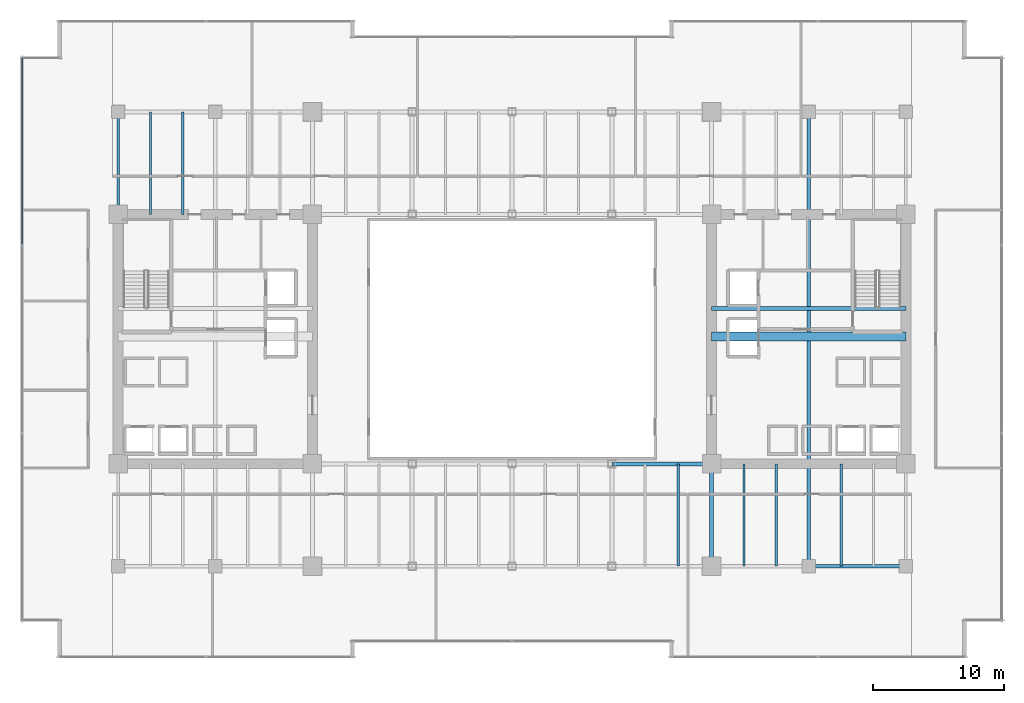
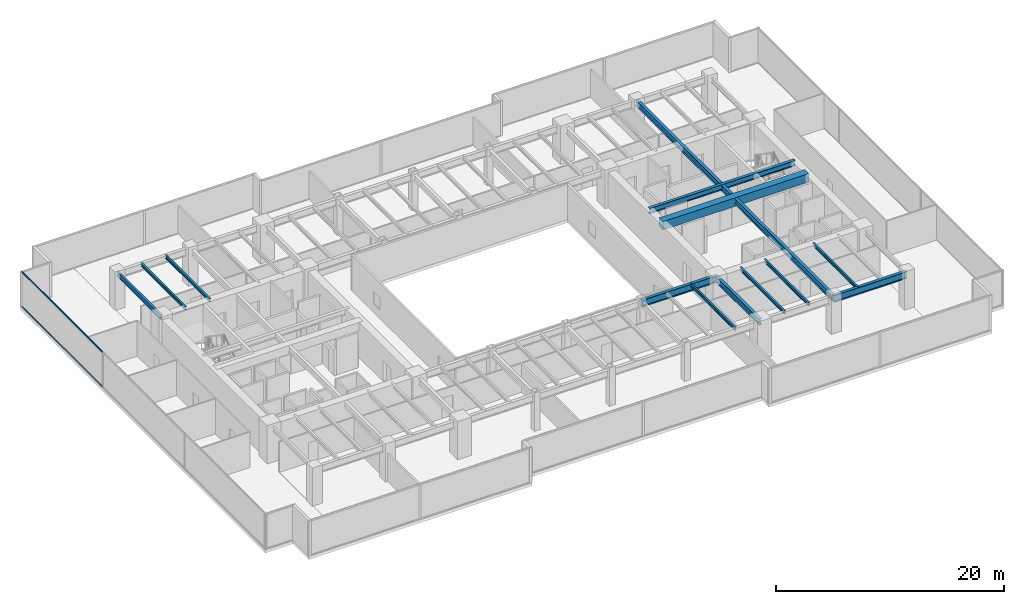
# One storey, part 11 of 37: 13 beams, 2 members, 1 element without a shape of its own.
"""IFC4 building model written with IfcOpenShell, lengths in metres."""

from ifc_helpers import new_model, si_unit, direction, frame, origin, origin_2d, place, context, subcontext, project, spatial, rectangle, hollow_rectangle, i_section, extrude, source, transform, mapped, material, layer, layer_set, material_profile, profile_set, type_object, type_shapes, element, aggregate, save


model = new_model("IFC4")

# Units and contexts
model_context = context("Model", 3, precision=1e-05, world=origin(), true_north=direction((0.0, 1.0)))
body_context = subcontext(model_context, "Body", "Model", "MODEL_VIEW")
ifc_project = project(units=[si_unit("LENGTHUNIT", "METRE"), si_unit("AREAUNIT", "SQUARE_METRE"), si_unit("VOLUMEUNIT", "CUBIC_METRE"), si_unit("PLANEANGLEUNIT", "RADIAN"), si_unit("MASSUNIT", "GRAM", prefix="KILO")], contexts=[model_context])

# Site, building, storey
site_placement = place(None, origin())
site = spatial("IfcSite", under=ifc_project, at=site_placement, CompositionType="ELEMENT")
building_placement = place(site_placement, origin())
building = spatial("IfcBuilding", under=site, at=building_placement, Name="Haelvirn Gate Laboratories", CompositionType="ELEMENT")
storey_placement = place(building_placement, frame((0.0, 0.0, 78.5)))
storey = spatial("IfcBuildingStorey", under=building, at=storey_placement, Name="L19", CompositionType="ELEMENT", Elevation=78.5)

# Beams
ifc_material_1 = material(Name="Concrete C60/75", Category="concrete")
ifc_material_profile_1 = material_profile(ifc_material_1, rectangle(XDim=0.699951171875, YDim=0.89990234375, at=origin_2d()), Name="RCB-700x900")
ifc_profile_set_1 = profile_set([ifc_material_profile_1], Name="Concrete C60/75")
beam_type_1 = type_object("IfcBeamType", Name="BM-RCB-900", PredefinedType="LINTEL", material=ifc_profile_set_1)
shared_shape_1 = source(origin(), body_context, "Body", "SweptSolid", [
    extrude(rectangle(XDim=0.699951171875, YDim=0.89990234375, at=origin_2d()), origin(), (0.0, 0.0, 1.0), 14.7998046875),
])
type_shapes(beam_type_1, [shared_shape_1])
beam_1_placement = place(storey_placement, frame((52.60009765625, 24.5, 3.330078125), z_axis=(1.0, 0.0, 0.0), x_axis=(0.0, 1.0, 0.0)))
element("IfcBeam", 1, at=beam_1_placement, inside=storey, type_object=beam_type_1, Name="L19 East Core Coupling Beam", PredefinedType="LINTEL", context=body_context, shape_type="MappedRepresentation", body=[
    mapped(shared_shape_1, transform((0.0, 0.0, 0.0), scale=1.0)),
])
ifc_material_2 = material(Name="Steel SM355", Category="steel")
ifc_material_profile_2 = material_profile(ifc_material_2, i_section(OverallWidth=0.300048828125, OverallDepth=0.587890625, WebThickness=0.011962890625, FlangeThickness=0.02001953125, at=origin_2d()), Name="H-588x300x12x20")
ifc_profile_set_2 = profile_set([ifc_material_profile_2], Name="Steel SM355")
beam_type_2 = type_object("IfcBeamType", Name="BM-G-588", PredefinedType="BEAM", material=ifc_profile_set_2)
shared_shape_2 = source(origin(), body_context, "Body", "SweptSolid", [
    extrude(i_section(OverallWidth=0.300048828125, OverallDepth=0.587890625, WebThickness=0.011962890625, FlangeThickness=0.02001953125, at=origin_2d()), origin(), (0.0, 0.0, 1.0), 14.7998046875),
])
type_shapes(beam_type_2, [shared_shape_2])
beam_2_placement = place(storey_placement, frame((52.60009765625, 26.6201171875, 3.486083984375), z_axis=(1.0, 0.0, 0.0), x_axis=(0.0, 1.0, 0.0)))
element("IfcBeam", 2, at=beam_2_placement, inside=storey, type_object=beam_type_2, Name="L19 Stair ST2 Landing Header", PredefinedType="BEAM", context=body_context, shape_type="MappedRepresentation", body=[
    mapped(shared_shape_2, transform((0.0, 0.0, 0.0), scale=1.0)),
])
ifc_material_profile_3 = material_profile(ifc_material_2, i_section(OverallWidth=0.300048828125, OverallDepth=0.75, WebThickness=0.013916015625, FlangeThickness=0.02392578125, at=origin_2d()), Name="H-750x300x14x24")
ifc_profile_set_3 = profile_set([ifc_material_profile_3], Name="Steel SM355")
beam_type_3 = type_object("IfcBeamType", Name="BM-G-750", PredefinedType="BEAM", material=ifc_profile_set_3)
shared_shape_3 = source(origin(), body_context, "Body", "SweptSolid", [
    extrude(i_section(OverallWidth=0.300048828125, OverallDepth=0.75, WebThickness=0.013916015625, FlangeThickness=0.02392578125, at=origin_2d()), origin(), (0.0, 0.0, 1.0), 7.39990234375),
])
beam_3_placement = place(storey_placement, frame((60.0, 7.0, 3.405029296875), z_axis=(1.0, 0.0, 0.0), x_axis=(0.0, 1.0, 0.0)))
element("IfcBeam", 3, at=beam_3_placement, inside=storey, type_object=beam_type_3, Name="L19 Primary Girder Y7.0 (60.0-67.4)", PredefinedType="BEAM", context=body_context, shape_type="MappedRepresentation", body=[
    mapped(shared_shape_3, transform((0.0, 0.0, 0.0), scale=1.0)),
])
shared_shape_4 = source(origin(), body_context, "Body", "SweptSolid", [
    extrude(i_section(OverallWidth=0.300048828125, OverallDepth=0.75, WebThickness=0.013916015625, FlangeThickness=0.02392578125, at=origin_2d()), origin(), (0.0, 0.0, 1.0), 7.60009765625),
])
type_shapes(beam_type_3, [shared_shape_3, shared_shape_4])
beam_4_placement = place(storey_placement, frame((45.0, 14.800048828125, 3.405029296875), z_axis=(1.0, 0.0, 0.0), x_axis=(0.0, 1.0, 0.0)))
element("IfcBeam", 4, at=beam_4_placement, inside=storey, type_object=beam_type_3, Name="L19 Primary Girder Y14.8 (45.0-52.6)", PredefinedType="BEAM", context=body_context, shape_type="MappedRepresentation", body=[
    mapped(shared_shape_4, transform((0.0, 0.0, 0.0), scale=1.0)),
])
ifc_material_profile_4 = material_profile(ifc_material_2, i_section(OverallWidth=0.199951171875, OverallDepth=0.5, WebThickness=0.010009765625, FlangeThickness=0.01611328125, at=origin_2d()), Name="H-500x200x10x16")
ifc_profile_set_4 = profile_set([ifc_material_profile_4], Name="Steel SM355")
beam_type_4 = type_object("IfcBeamType", Name="BM-SP-500", PredefinedType="SPANDREL", material=ifc_profile_set_4)
shared_shape_5 = source(origin(), body_context, "Body", "SweptSolid", [
    extrude(i_section(OverallWidth=0.199951171875, OverallDepth=0.5, WebThickness=0.010009765625, FlangeThickness=0.01611328125, at=origin_2d()), origin(), (0.0, 0.0, 1.0), 7.800048828125),
])
type_shapes(beam_type_4, [shared_shape_5])
beam_5_placement = place(storey_placement, frame((7.39990234375, 33.800048828125, 3.530029296875), z_axis=(0.0, 1.0, 0.0), x_axis=(-1.0, 0.0, 0.0)))
element("IfcBeam", 5, at=beam_5_placement, inside=storey, type_object=beam_type_4, Name="L19 Perimeter Spandrel X7.4 (33.8-41.6)", PredefinedType="SPANDREL", context=body_context, shape_type="MappedRepresentation", body=[
    mapped(shared_shape_5, transform((0.0, 0.0, 0.0), scale=1.0)),
])
ifc_material_profile_5 = material_profile(ifc_material_2, i_section(OverallWidth=0.175048828125, OverallDepth=0.35009765625, WebThickness=0.007080078125, FlangeThickness=0.010986328125, at=origin_2d()), Name="H-350x175x7x11")
ifc_profile_set_5 = profile_set([ifc_material_profile_5], Name="Steel SM355")
beam_type_5 = type_object("IfcBeamType", Name="BM-J-350", PredefinedType="JOIST", material=ifc_profile_set_5)
shared_shape_6 = source(origin(), body_context, "Body", "SweptSolid", [
    extrude(i_section(OverallWidth=0.175048828125, OverallDepth=0.35009765625, WebThickness=0.007080078125, FlangeThickness=0.010986328125, at=origin_2d()), origin(), (0.0, 0.0, 1.0), 7.800048828125),
])
type_shapes(beam_type_5, [shared_shape_6])
for number, where, z_axis, x_axis, name in (
    (6, (9.8701171875, 33.800048828125, 3.60498046875), (0.0, 1.0, 0.0), (-1.0, 0.0, 0.0), "L19 Composite Lab Joist North X9.87"),
    (7, (12.330078125, 33.800048828125, 3.60498046875), (0.0, 1.0, 0.0), (-1.0, 0.0, 0.0), "L19 Composite Lab Joist North X12.33"),
    (8, (50.070068359375, 7.0, 3.60498046875), (0.0, 1.0, 0.0), (-1.0, 0.0, 0.0), "L19 Composite Lab Joist South X50.07"),
    (9, (55.070068359375, 7.0, 3.60498046875), (0.0, 1.0, 0.0), (-1.0, 0.0, 0.0), "L19 Composite Lab Joist South X55.07"),
    (10, (57.530029296875, 7.0, 3.60498046875), (0.0, 1.0, 0.0), (-1.0, 0.0, 0.0), "L19 Composite Lab Joist South X57.53"),
    (11, (62.469970703125, 7.0, 3.60498046875), (0.0, 1.0, 0.0), (-1.0, 0.0, 0.0), "L19 Composite Lab Joist South X62.47"),
):
    element("IfcBeam", number, at=place(storey_placement, frame(where, z_axis=z_axis, x_axis=x_axis)), inside=storey, type_object=beam_type_5, Name=name, PredefinedType="JOIST", context=body_context, shape_type="MappedRepresentation", body=[
        mapped(shared_shape_6, transform((0.0, 0.0, 0.0), scale=1.0)),
    ])
ifc_material_profile_6 = material_profile(ifc_material_2, i_section(OverallWidth=0.300048828125, OverallDepth=0.64990234375, WebThickness=0.012939453125, FlangeThickness=0.02197265625, at=origin_2d()), Name="H-650x300x13x22")
ifc_profile_set_6 = profile_set([ifc_material_profile_6], Name="Steel SM355")
beam_type_6 = type_object("IfcBeamType", Name="BM-G-650", PredefinedType="BEAM", material=ifc_profile_set_6)
shared_shape_7 = source(origin(), body_context, "Body", "SweptSolid", [
    extrude(i_section(OverallWidth=0.300048828125, OverallDepth=0.64990234375, WebThickness=0.012939453125, FlangeThickness=0.02197265625, at=origin_2d()), origin(), (0.0, 0.0, 1.0), 34.60009765625),
])
beam_6_placement = place(storey_placement, frame((60.0, 7.0, 3.455078125), z_axis=(0.0, 1.0, 0.0), x_axis=(-1.0, 0.0, 0.0)))
element("IfcBeam", 12, at=beam_6_placement, inside=storey, type_object=beam_type_6, Name="L19 Frame Girder X60.0 (7.0-41.6)", PredefinedType="BEAM", context=body_context, shape_type="MappedRepresentation", body=[
    mapped(shared_shape_7, transform((0.0, 0.0, 0.0), scale=1.0)),
])
shared_shape_8 = source(origin(), body_context, "Body", "SweptSolid", [
    extrude(i_section(OverallWidth=0.300048828125, OverallDepth=0.64990234375, WebThickness=0.012939453125, FlangeThickness=0.02197265625, at=origin_2d()), origin(), (0.0, 0.0, 1.0), 7.800048828125),
])
type_shapes(beam_type_6, [shared_shape_7, shared_shape_8])
beam_7_placement = place(storey_placement, frame((52.60009765625, 7.0, 3.455078125), z_axis=(0.0, 1.0, 0.0), x_axis=(-1.0, 0.0, 0.0)))
element("IfcBeam", 13, at=beam_7_placement, inside=storey, type_object=beam_type_6, Name="L19 Frame Girder X52.6 (7.0-14.8)", PredefinedType="BEAM", context=body_context, shape_type="MappedRepresentation", body=[
    mapped(shared_shape_8, transform((0.0, 0.0, 0.0), scale=1.0)),
])

# Curtain wall, members
ifc_material_3 = material(Name="Anodised bronze unitised aluminium & triple low-E glass", Category="aluminium")
ifc_layer = layer(ifc_material_3, 0.18408203125, Name="CW-SYS-2")
ifc_layer_set = layer_set([ifc_layer], Name="Anodised bronze unitised aluminium & triple low-E glass")
curtain_wall_type = type_object("IfcCurtainWallType", Name="CW-SYS-2", PredefinedType="NOTDEFINED", material=ifc_layer_set)
curtain_wall_placement = place(storey_placement, origin())
curtain_wall = element("IfcCurtainWall", 14, at=curtain_wall_placement, inside=storey, type_object=curtain_wall_type, Name="L19 Unitised Curtain Wall CW-L19-P0-E17", PredefinedType="NOTDEFINED")
ifc_material_4 = material(Name="Extruded aluminium 6063-T6 (anodised bronze)", Category="aluminium")
ifc_material_profile_7 = material_profile(ifc_material_4, hollow_rectangle(XDim=0.070068359375, YDim=0.159912109375, WallThickness=0.0048828125, at=origin_2d()), Name="CWT-160x70x5")
ifc_profile_set_7 = profile_set([ifc_material_profile_7], Name="Extruded aluminium 6063-T6 (anodised bronze)")
member_type = type_object("IfcMemberType", Name="CWT-T160", PredefinedType="USERDEFINED", material=ifc_profile_set_7)
shared_shape_9 = source(origin(), body_context, "Body", "SweptSolid", [
    extrude(hollow_rectangle(XDim=0.070068359375, YDim=0.159912109375, WallThickness=0.0048828125, at=origin_2d()), origin(), (0.0, 0.0, 1.0), 14.220947265625),
])
type_shapes(member_type, [shared_shape_9])
member_1_placement = place(storey_placement, frame((0.10009765625, 45.72509765625, 0.034912109375), z_axis=(0.0, -1.0, 0.0), x_axis=(1.0, 0.0, 0.0)))
member_1 = element("IfcMember", 15, at=member_1_placement, type_object=member_type, Name="CW2 transom 1.1", ObjectType="TRANSOM", PredefinedType="USERDEFINED", context=body_context, shape_type="MappedRepresentation", body=[
    mapped(shared_shape_9, transform((0.0, 0.0, 0.0), scale=1.0)),
])
member_2_placement = place(storey_placement, frame((0.10009765625, 45.72509765625, 3.7451171875), z_axis=(0.0, -1.0, 0.0), x_axis=(1.0, 0.0, 0.0)))
member_2 = element("IfcMember", 16, at=member_2_placement, type_object=member_type, Name="CW2 transom 1.2", ObjectType="TRANSOM", PredefinedType="USERDEFINED", context=body_context, shape_type="MappedRepresentation", body=[
    mapped(shared_shape_9, transform((0.0, 0.0, 0.0), scale=1.0)),
])
aggregate(curtain_wall, [member_1, member_2])

save(model, "model.ifc")
